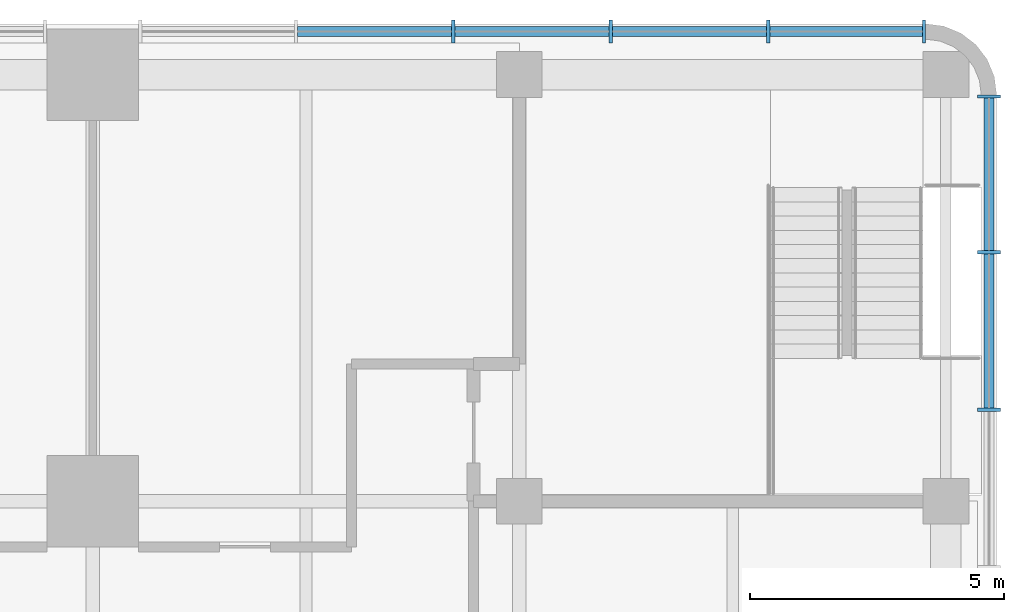
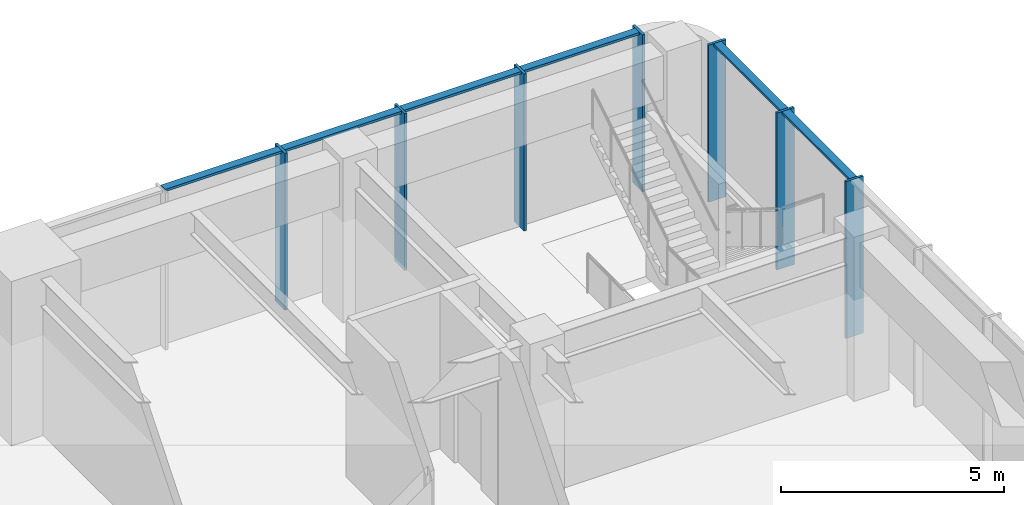
# One storey, part 8 of 20: 13 members, 2 elements without a shape of their own.
"""IFC4 building model written with IfcOpenShell, lengths in metres."""

import ifcopenshell
import ifcopenshell.guid

model = None  # the IFC model being written
_history = None  # IfcOwnerHistory: only IFC2X3 demands one
_inside = {}  # id of a spatial element -> (the spatial element, [elements in it])
_under = {}  # id of a project, library or spatial element -> (it, [spatial elements below it])
_declared = {}  # id of a project -> (the project, [libraries it declares])
_typed = {}  # id of a type object -> (the type object, [elements of that type])
_made_of = {}  # id of a material, layer set ... -> (it, [elements and type objects made of it])


def new_model(schema):
    """Start an empty IFC model of exactly this schema.

    Asked for "IFC4X3", IfcOpenShell would pick the latest addendum, in which some entities
    have other attributes; the version numbers below select the first issue.
    IFC2X3 requires an IfcOwnerHistory on every rooted entity: one is made here for all.
    """
    global model, _history
    if schema == "IFC4X3":
        model = ifcopenshell.file(schema_version=(4, 3, 0, 0))
    else:
        model = ifcopenshell.file(schema=schema)
    _inside.clear()
    _under.clear()
    _declared.clear()
    _typed.clear()
    _made_of.clear()
    _history = None
    if model.schema == "IFC2X3":
        org = make("IfcOrganization", Name="unknown")
        user = make(
            "IfcPersonAndOrganization",
            ThePerson=make("IfcPerson", FamilyName="unknown"),
            TheOrganization=org,
        )
        app = make(
            "IfcApplication",
            ApplicationDeveloper=org,
            Version="unknown",
            ApplicationFullName="unknown",
            ApplicationIdentifier="unknown",
        )
        _history = make(
            "IfcOwnerHistory",
            OwningUser=user,
            OwningApplication=app,
            ChangeAction="ADDED",
            CreationDate=0,
        )
    return model


def make(cls, **values):
    """One entity of the class cls with the attributes given. An attribute that is None is left unset."""
    return model.create_entity(
        cls, **{name: value for name, value in values.items() if value is not None}
    )


def rooted(cls, **values):
    """An entity with a GlobalId (a new one), such as an element, a storey or a relation."""
    return make(cls, GlobalId=ifcopenshell.guid.new(), OwnerHistory=_history, **values)


def si_unit(unit_type, name, prefix=None):
    """IfcSIUnit, for example si_unit("LENGTHUNIT", "METRE", prefix="MILLI")."""
    return make("IfcSIUnit", UnitType=unit_type, Prefix=prefix, Name=name)


def assignment(units):
    """IfcUnitAssignment: the units of a project."""
    return None if units is None else make("IfcUnitAssignment", Units=units)


def point(xyz):
    """IfcCartesianPoint."""
    return None if xyz is None else make("IfcCartesianPoint", Coordinates=xyz)


def direction(xyz):
    """IfcDirection."""
    return None if xyz is None else make("IfcDirection", DirectionRatios=xyz)


def frame(location, z_axis=None, x_axis=None):
    """IfcAxis2Placement3D, a coordinate frame: its origin and axes. An axis left out is left unset."""
    return make(
        "IfcAxis2Placement3D",
        Location=point(location),
        Axis=direction(z_axis),
        RefDirection=direction(x_axis),
    )


def frame_2d(location, x_axis=None):
    """IfcAxis2Placement2D, a coordinate frame in the plane: its origin and x axis."""
    return make(
        "IfcAxis2Placement2D", Location=point(location), RefDirection=direction(x_axis)
    )


def origin():
    """The frame at (0, 0, 0) with its axes left unset."""
    return frame((0.0, 0.0, 0.0))


def origin_2d():
    """The frame at (0, 0) in the plane with its x axis left unset."""
    return frame_2d((0.0, 0.0))


def place(relative_to, where):
    """IfcLocalPlacement: puts the frame where relative to a parent placement (None: the world)."""
    return make(
        "IfcLocalPlacement", PlacementRelTo=relative_to, RelativePlacement=where
    )


def context(
    kind, dimensions, precision=None, world=None, true_north=None, identifier=None
):
    """IfcGeometricRepresentationContext, for example the 3D "Model" context."""
    return make(
        "IfcGeometricRepresentationContext",
        ContextIdentifier=identifier,
        ContextType=kind,
        CoordinateSpaceDimension=dimensions,
        Precision=precision,
        WorldCoordinateSystem=world,
        TrueNorth=true_north,
    )


def subcontext(parent, identifier, kind, view, scale=None):
    """IfcGeometricRepresentationSubContext, for example "Body" below "Model"."""
    return make(
        "IfcGeometricRepresentationSubContext",
        ContextIdentifier=identifier,
        ContextType=kind,
        ParentContext=parent,
        TargetScale=scale,
        TargetView=view,
    )


def project(units=None, contexts=None):
    """IfcProject with its units and contexts."""
    return rooted(
        "IfcProject",
        Name="project",
        RepresentationContexts=contexts,
        UnitsInContext=assignment(units),
    )


def spatial(cls, under=None, at=None, **own):
    """A site, building, storey or space (cls), placed at a placement, below another one or the project."""
    s = rooted(cls, ObjectPlacement=at, **own)
    if under is not None:
        _under.setdefault(under.id(), (under, []))[1].append(s)
    return s


def profile(cls, at=None, kind="AREA", **sizes):
    """A parametric profile (cls). Its sizes go by their IFC names, for example OverallWidth=200.0."""
    return make(cls, ProfileType=kind, Position=at, **sizes)


def rectangle(**sizes):
    """IfcRectangleProfileDef."""
    return profile("IfcRectangleProfileDef", **sizes)


def extrude(swept, where, along, depth):
    """IfcExtrudedAreaSolid: the profile swept, set in the frame where, extruded along a direction by depth."""
    return make(
        "IfcExtrudedAreaSolid",
        SweptArea=swept,
        Position=where,
        ExtrudedDirection=direction(along),
        Depth=depth,
    )


def shape(context_of_items, identifier, shape_type, items):
    """IfcShapeRepresentation: the items that make up one representation, for example the "Body"."""
    return make(
        "IfcShapeRepresentation",
        ContextOfItems=context_of_items,
        RepresentationIdentifier=identifier,
        RepresentationType=shape_type,
        Items=items,
    )


def material(Name=None, Category=None):
    """IfcMaterial."""
    return make("IfcMaterial", Name=Name, Category=Category)


def material_profile(
    of_material, cross_section, Name=None, Category=None, Priority=None
):
    """IfcMaterialProfile: a cross section and its material."""
    return make(
        "IfcMaterialProfile",
        Name=Name,
        Material=of_material,
        Profile=cross_section,
        Priority=Priority,
        Category=Category,
    )


def profile_set(profiles, Name=None, composite=None):
    """IfcMaterialProfileSet."""
    return make(
        "IfcMaterialProfileSet",
        Name=Name,
        MaterialProfiles=profiles,
        CompositeProfile=composite,
    )


def made_of(thing, what):
    """Note that an element or type object is made of a material, layer set ...; save() writes the relation."""
    if what is not None:
        _made_of.setdefault(what.id(), (what, []))[1].append(thing)
    return thing


def type_object(cls, material=None, **own):
    """A type object (cls), such as IfcWallType, which elements share."""
    return made_of(rooted(cls, **own), material)


def element(
    cls,
    number,
    at=None,
    inside=None,
    cuts=None,
    type_object=None,
    material=None,
    context=None,
    identifier="Body",
    shape_type=None,
    held_by="IfcProductDefinitionShape",
    body=None,
    shapes=None,
    **own,
):
    """One element of the class cls, such as IfcWall. Its Tag is "e" and its number.

    at: its placement. inside: the storey or other place that contains it. cuts: it is an
    opening in that element (IfcRelVoidsElement). A single representation is given by context,
    identifier, shape_type and body (its items); several are given by shapes. held_by: the class
    of the entity that holds the representations. save() writes the other relations.
    """
    e = rooted(cls, Tag="e%d" % number, ObjectPlacement=at, **own)
    if body is not None:
        shapes = [shape(context, identifier, shape_type, body)]
    if shapes is not None:
        e.Representation = make(held_by, Representations=shapes)
    if inside is not None:
        _inside.setdefault(inside.id(), (inside, []))[1].append(e)
    if cuts is not None:
        rooted(
            "IfcRelVoidsElement", RelatingBuildingElement=cuts, RelatedOpeningElement=e
        )
    if type_object is not None:
        _typed.setdefault(type_object.id(), (type_object, []))[1].append(e)
    return made_of(e, material)


def aggregate(whole, parts):
    """IfcRelAggregates: a whole, such as a stair, and the parts it consists of."""
    return rooted("IfcRelAggregates", RelatingObject=whole, RelatedObjects=parts)


def save(model, path):
    """Write the relations noted so far, then the file.

    IfcRelAggregates (storeys below a building ...), IfcRelContainedInSpatialStructure (elements
    in a storey), IfcRelDefinesByType, IfcRelAssociatesMaterial and IfcRelDeclares: one each for
    every whole, place, type object, material and project.
    """
    for whole, parts in _under.values():
        aggregate(whole, parts)
    for where, things in _inside.values():
        rooted(
            "IfcRelContainedInSpatialStructure",
            RelatedElements=things,
            RelatingStructure=where,
        )
    for kind, things in _typed.values():
        rooted("IfcRelDefinesByType", RelatedObjects=things, RelatingType=kind)
    for what, things in _made_of.values():
        rooted("IfcRelAssociatesMaterial", RelatedObjects=things, RelatingMaterial=what)
    for by, libraries in _declared.values():
        rooted("IfcRelDeclares", RelatingContext=by, RelatedDefinitions=libraries)
    model.write(path)


model = new_model("IFC4")

# Units and contexts
model_context = context("Model", 3, precision=1e-05, world=origin(), true_north=direction((0.0, 1.0)))
body_context = subcontext(model_context, "Body", "Model", "MODEL_VIEW")
ifc_project = project(units=[si_unit("LENGTHUNIT", "METRE"), si_unit("AREAUNIT", "SQUARE_METRE"), si_unit("VOLUMEUNIT", "CUBIC_METRE"), si_unit("PLANEANGLEUNIT", "RADIAN"), si_unit("MASSUNIT", "GRAM", prefix="KILO")], contexts=[model_context])

# Site, building, storey
site_placement = place(None, origin())
site = spatial("IfcSite", under=ifc_project, at=site_placement, CompositionType="ELEMENT")
building_placement = place(site_placement, origin())
building = spatial("IfcBuilding", under=site, at=building_placement, Name="Torre Alcanfor", CompositionType="ELEMENT")
storey_placement = place(building_placement, frame((0.0, 0.0, 10.5)))
storey = spatial("IfcBuildingStorey", under=building, at=storey_placement, Name="L02", CompositionType="ELEMENT", Elevation=10.5)

# Curtain wall, members
ifc_material_1 = material(Name="Aluminium and glass", Category="aluminium")
curtain_wall_type = type_object("IfcCurtainWallType", Name="CW-B unitised classroom glazing with vertical FIN", PredefinedType="NOTDEFINED", material=ifc_material_1)
curtain_wall_1_placement = place(storey_placement, origin())
curtain_wall_1 = element("IfcCurtainWall", 1, at=curtain_wall_1_placement, inside=storey, type_object=curtain_wall_type, Name="Curtain wall CW-B L02 1", PredefinedType="NOTDEFINED")
ifc_material_2 = material(Name="Bronze anodised aluminium", Category="aluminium")
ifc_material_profile_1 = material_profile(ifc_material_2, rectangle(XDim=0.449951171875, YDim=0.06494140625, at=origin_2d()), Name="CW-B mullion 65x450")
ifc_profile_set_1 = profile_set([ifc_material_profile_1], Name="Bronze anodised aluminium")
member_type_1 = type_object("IfcMemberType", Name="CW-B mullion with vertical FIN 65x450", PredefinedType="MULLION", material=ifc_profile_set_1)
member_1_placement = place(storey_placement, frame((59.64990234375, 52.201904296875, 0.0), z_axis=(0.0, 0.0, 1.0), x_axis=(-1.0, 0.0, 0.0)))
member_1 = element("IfcMember", 2, at=member_1_placement, type_object=member_type_1, Name="CW-B mullion 5.4", PredefinedType="MULLION", context=body_context, shape_type="SweptSolid", body=[
    extrude(rectangle(XDim=0.449951171875, YDim=0.06494140625, at=origin_2d()), origin(), (0.0, 0.0, 1.0), 4.300048828125),
])
member_2_placement = place(storey_placement, frame((59.64990234375, 55.301025390625, 0.0), z_axis=(0.0, 0.0, 1.0), x_axis=(-1.0, 0.0, 0.0)))
member_2 = element("IfcMember", 3, at=member_2_placement, type_object=member_type_1, Name="CW-B mullion 5.5", PredefinedType="MULLION", context=body_context, shape_type="SweptSolid", body=[
    extrude(rectangle(XDim=0.449951171875, YDim=0.06494140625, at=origin_2d()), origin(), (0.0, 0.0, 1.0), 4.300048828125),
])
member_3_placement = place(storey_placement, frame((59.64990234375, 58.367431640625, 0.0), z_axis=(0.0, 0.0, 1.0), x_axis=(-1.0, 0.0, 0.0)))
member_3 = element("IfcMember", 4, at=member_3_placement, type_object=member_type_1, Name="CW-B mullion 5.6", PredefinedType="MULLION", context=body_context, shape_type="SweptSolid", body=[
    extrude(rectangle(XDim=0.449951171875, YDim=0.06494140625, at=origin_2d()), origin(), (0.0, 0.0, 1.0), 4.300048828125),
])

curtain_wall_2_placement = place(storey_placement, origin())
curtain_wall_2 = element("IfcCurtainWall", 5, at=curtain_wall_2_placement, inside=storey, type_object=curtain_wall_type, Name="Curtain wall CW-B L02 2", PredefinedType="NOTDEFINED")
member_4_placement = place(storey_placement, frame((58.367431640625, 59.64990234375, 0.0), z_axis=(0.0, 0.0, 1.0), x_axis=(0.0, -1.0, 0.0)))
member_4 = element("IfcMember", 6, at=member_4_placement, type_object=member_type_1, Name="CW-B mullion 1.1", PredefinedType="MULLION", context=body_context, shape_type="SweptSolid", body=[
    extrude(rectangle(XDim=0.449951171875, YDim=0.06494140625, at=origin_2d()), origin(), (0.0, 0.0, 1.0), 4.300048828125),
])
member_5_placement = place(storey_placement, frame((55.301025390625, 59.64990234375, 0.0), z_axis=(0.0, 0.0, 1.0), x_axis=(0.0, -1.0, 0.0)))
member_5 = element("IfcMember", 7, at=member_5_placement, type_object=member_type_1, Name="CW-B mullion 1.2", PredefinedType="MULLION", context=body_context, shape_type="SweptSolid", body=[
    extrude(rectangle(XDim=0.449951171875, YDim=0.06494140625, at=origin_2d()), origin(), (0.0, 0.0, 1.0), 4.300048828125),
])
member_6_placement = place(storey_placement, frame((52.201904296875, 59.64990234375, 0.0), z_axis=(0.0, 0.0, 1.0), x_axis=(0.0, -1.0, 0.0)))
member_6 = element("IfcMember", 8, at=member_6_placement, type_object=member_type_1, Name="CW-B mullion 1.3", PredefinedType="MULLION", context=body_context, shape_type="SweptSolid", body=[
    extrude(rectangle(XDim=0.449951171875, YDim=0.06494140625, at=origin_2d()), origin(), (0.0, 0.0, 1.0), 4.300048828125),
])
member_7_placement = place(storey_placement, frame((49.10302734375, 59.64990234375, 0.0), z_axis=(0.0, 0.0, 1.0), x_axis=(0.0, -1.0, 0.0)))
member_7 = element("IfcMember", 9, at=member_7_placement, type_object=member_type_1, Name="CW-B mullion 1.4", PredefinedType="MULLION", context=body_context, shape_type="SweptSolid", body=[
    extrude(rectangle(XDim=0.449951171875, YDim=0.06494140625, at=origin_2d()), origin(), (0.0, 0.0, 1.0), 4.300048828125),
])

# Member
ifc_material_3 = material(Name="Extruded aluminium", Category="aluminium")
ifc_material_profile_2 = material_profile(ifc_material_3, rectangle(XDim=0.199951171875, YDim=0.06494140625, at=origin_2d()), Name="CW-B transom 200x65")
ifc_profile_set_2 = profile_set([ifc_material_profile_2], Name="Extruded aluminium")
member_type_2 = type_object("IfcMemberType", Name="CW-B transom 65x200", PredefinedType="USERDEFINED", material=ifc_profile_set_2)
member_8_placement = place(storey_placement, frame((59.64990234375, 52.234619140625, 4.267578125), z_axis=(0.0, 1.0, 0.0), x_axis=(-1.0, 0.0, 0.0)))
member_8 = element("IfcMember", 10, at=member_8_placement, type_object=member_type_2, Name="CW-B transom 5.4.2", ObjectType="TRANSOM", PredefinedType="USERDEFINED", context=body_context, shape_type="SweptSolid", body=[
    extrude(rectangle(XDim=0.199951171875, YDim=0.06494140625, at=origin_2d()), origin(), (0.0, 0.0, 1.0), 3.033935546875),
])

member_9_placement = place(storey_placement, frame((59.64990234375, 55.33349609375, 4.267578125), z_axis=(0.0, 1.0, 0.0), x_axis=(-1.0, 0.0, 0.0)))
member_9 = element("IfcMember", 11, at=member_9_placement, type_object=member_type_2, Name="CW-B transom 5.5.2", ObjectType="TRANSOM", PredefinedType="USERDEFINED", context=body_context, shape_type="SweptSolid", body=[
    extrude(rectangle(XDim=0.199951171875, YDim=0.06494140625, at=origin_2d()), origin(), (0.0, 0.0, 1.0), 3.00146484375),
])

aggregate(curtain_wall_1, [member_1, member_2, member_3, member_8, member_9])

member_10_placement = place(storey_placement, frame((58.3349609375, 59.64990234375, 4.267578125), z_axis=(-1.0, 0.0, 0.0), x_axis=(0.0, -1.0, 0.0)))
member_10 = element("IfcMember", 12, at=member_10_placement, type_object=member_type_2, Name="CW-B transom 1.1.2", ObjectType="TRANSOM", PredefinedType="USERDEFINED", context=body_context, shape_type="SweptSolid", body=[
    extrude(rectangle(XDim=0.199951171875, YDim=0.06494140625, at=origin_2d()), origin(), (0.0, 0.0, 1.0), 3.00146484375),
])

member_11_placement = place(storey_placement, frame((55.2685546875, 59.64990234375, 4.267578125), z_axis=(-1.0, 0.0, 0.0), x_axis=(0.0, -1.0, 0.0)))
member_11 = element("IfcMember", 13, at=member_11_placement, type_object=member_type_2, Name="CW-B transom 1.2.2", ObjectType="TRANSOM", PredefinedType="USERDEFINED", context=body_context, shape_type="SweptSolid", body=[
    extrude(rectangle(XDim=0.199951171875, YDim=0.06494140625, at=origin_2d()), origin(), (0.0, 0.0, 1.0), 3.033935546875),
])

member_12_placement = place(storey_placement, frame((52.16943359375, 59.64990234375, 4.267578125), z_axis=(-1.0, 0.0, 0.0), x_axis=(0.0, -1.0, 0.0)))
member_12 = element("IfcMember", 14, at=member_12_placement, type_object=member_type_2, Name="CW-B transom 1.3.2", ObjectType="TRANSOM", PredefinedType="USERDEFINED", context=body_context, shape_type="SweptSolid", body=[
    extrude(rectangle(XDim=0.199951171875, YDim=0.06494140625, at=origin_2d()), origin(), (0.0, 0.0, 1.0), 3.033935546875),
])

member_13_placement = place(storey_placement, frame((49.070556640625, 59.64990234375, 4.267578125), z_axis=(-1.0, 0.0, 0.0), x_axis=(0.0, -1.0, 0.0)))
member_13 = element("IfcMember", 15, at=member_13_placement, type_object=member_type_2, Name="CW-B transom 1.4.2", ObjectType="TRANSOM", PredefinedType="USERDEFINED", context=body_context, shape_type="SweptSolid", body=[
    extrude(rectangle(XDim=0.199951171875, YDim=0.06494140625, at=origin_2d()), origin(), (0.0, 0.0, 1.0), 3.033935546875),
])

aggregate(curtain_wall_2, [member_4, member_5, member_6, member_7, member_10, member_11, member_12, member_13])

save(model, "model.ifc")
